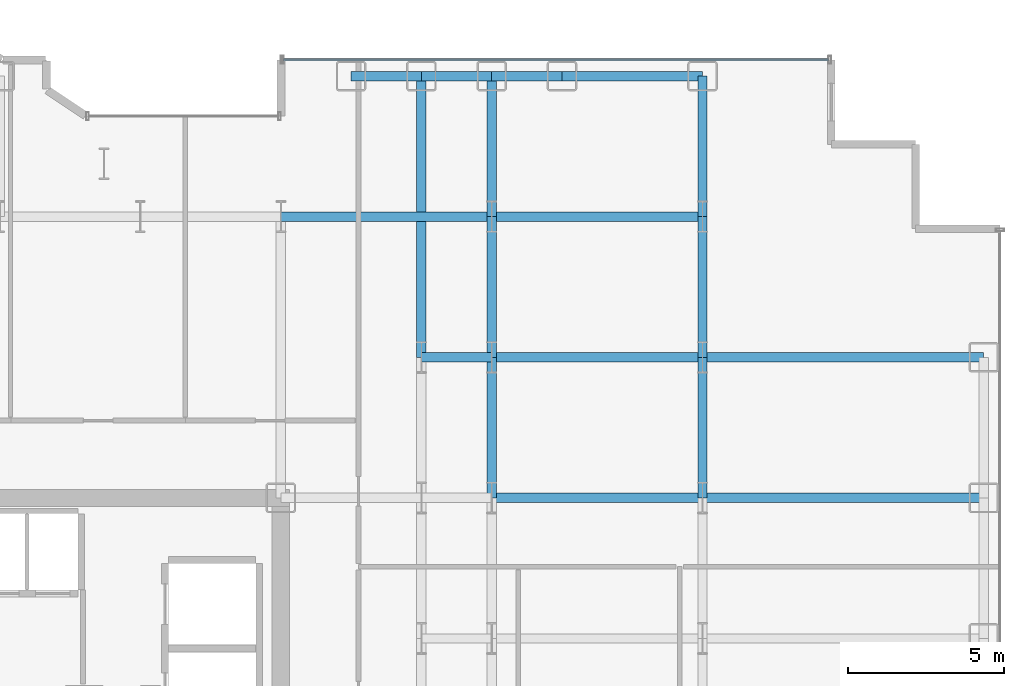
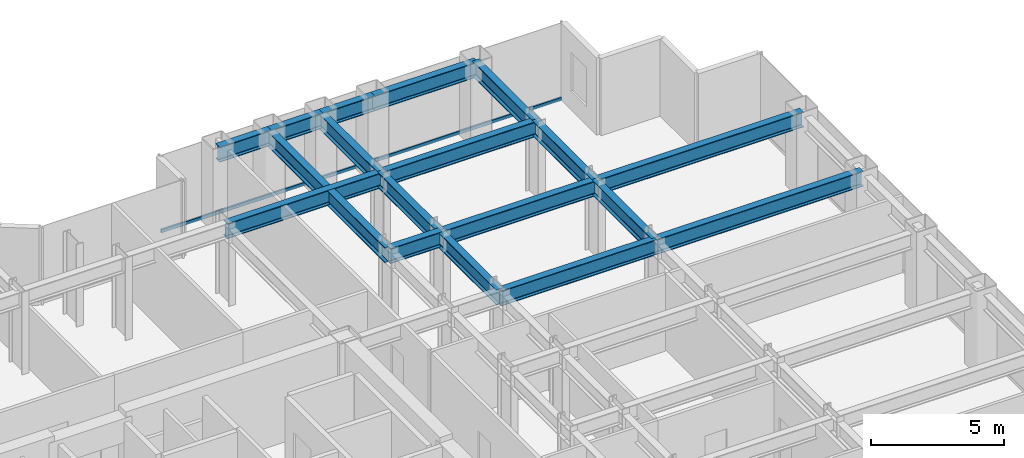
# One storey, part 13 of 25: 18 beams, 1 member, 1 element without a shape of its own.
"""IFC4 building model written with IfcOpenShell, lengths in metres."""

from ifc_helpers import new_model, si_unit, direction, frame, origin, origin_2d, place, context, subcontext, project, spatial, hollow_rectangle, i_section, extrude, source, transform, mapped, material, layer, layer_set, material_profile, profile_set, type_object, element, aggregate, save


model = new_model("IFC4")

# Units and contexts
model_context = context("Model", 3, precision=1e-05, world=origin(), true_north=direction((0.0, 1.0)))
body_context = subcontext(model_context, "Body", "Model", "MODEL_VIEW")
ifc_project = project(units=[si_unit("LENGTHUNIT", "METRE"), si_unit("AREAUNIT", "SQUARE_METRE"), si_unit("VOLUMEUNIT", "CUBIC_METRE"), si_unit("PLANEANGLEUNIT", "RADIAN"), si_unit("MASSUNIT", "GRAM", prefix="KILO")], contexts=[model_context])

# Site, building, storey
site_placement = place(None, origin())
site = spatial("IfcSite", under=ifc_project, at=site_placement, CompositionType="ELEMENT")
building_placement = place(site_placement, origin())
building = spatial("IfcBuilding", under=site, at=building_placement, Name="Nefas-Gora Pilgrimage Tower", CompositionType="ELEMENT")
storey_placement = place(building_placement, frame((0.0, 0.0, 98.39990234375)))
storey = spatial("IfcBuildingStorey", under=building, at=storey_placement, Name="L23", CompositionType="ELEMENT", Elevation=98.39990234375)

# Beams
ifc_material_1 = material(Name="Steel S355", Category="steel")
ifc_material_profile_1 = material_profile(ifc_material_1, i_section(OverallWidth=0.300048828125, OverallDepth=0.699951171875, WebThickness=0.01708984375, FlangeThickness=0.031982421875, FilletRadius=0.027099609375, at=origin_2d()), Name="HEB 700")
ifc_profile_set_1 = profile_set([ifc_material_profile_1], Name="Steel S355")
beam_type_1 = type_object("IfcBeamType", Name="BM-SPN-HEB600", PredefinedType="SPANDREL", material=ifc_profile_set_1)
shared_shape_1 = source(origin(), body_context, "Body", "SweptSolid", [
    extrude(i_section(OverallWidth=0.300048828125, OverallDepth=0.699951171875, WebThickness=0.01708984375, FlangeThickness=0.031982421875, FilletRadius=0.027099609375, at=origin_2d()), origin(), (0.0, 0.0, 1.0), 4.5),
])
beam_1_placement = place(storey_placement, frame((20.25, 22.5, 3.2001953125), z_axis=(1.0, 0.0, 0.0), x_axis=(0.0, 1.0, 0.0)))
element("IfcBeam", 1, at=beam_1_placement, inside=storey, type_object=beam_type_1, Name="L23 SP-01 beam", PredefinedType="SPANDREL", context=body_context, shape_type="MappedRepresentation", body=[
    mapped(shared_shape_1, transform((0.0, 0.0, 0.0), x_axis=(1.0, 0.0, 0.0), y_axis=(0.0, 1.0, 0.0), z_axis=(0.0, 0.0, 1.0), scale=1.0)),
])
ifc_material_profile_2 = material_profile(ifc_material_1, i_section(OverallWidth=0.300048828125, OverallDepth=0.699951171875, WebThickness=0.01708984375, FlangeThickness=0.031982421875, FilletRadius=0.027099609375, at=origin_2d()), Name="HEB 700")
ifc_profile_set_2 = profile_set([ifc_material_profile_2], Name="Steel S355")
beam_type_2 = type_object("IfcBeamType", Name="BM-GIR-HEB700", PredefinedType="BEAM", material=ifc_profile_set_2)
shared_shape_2 = source(origin(), body_context, "Body", "SweptSolid", [
    extrude(i_section(OverallWidth=0.300048828125, OverallDepth=0.699951171875, WebThickness=0.01708984375, FlangeThickness=0.031982421875, FilletRadius=0.027099609375, at=origin_2d()), origin(), (0.0, 0.0, 1.0), 9.0),
])
for number, where, z_axis, x_axis, name in (
    (2, (15.75, 13.5, 3.2001953125), (0.0, 1.0, 0.0), (-1.0, 0.0, 0.0), "L23 G-02 beam"),
    (3, (24.75, 9.0, 3.2001953125), (1.0, 0.0, 0.0), (0.0, 1.0, 0.0), "L23 G-02 beam"),
    (4, (24.75, 13.5, 3.2001953125), (1.0, 0.0, 0.0), (0.0, 1.0, 0.0), "L23 G-02 beam"),
):
    element("IfcBeam", number, at=place(storey_placement, frame(where, z_axis=z_axis, x_axis=x_axis)), inside=storey, type_object=beam_type_2, Name=name, PredefinedType="BEAM", context=body_context, shape_type="MappedRepresentation", body=[
        mapped(shared_shape_2, transform((0.0, 0.0, 0.0), x_axis=(1.0, 0.0, 0.0), y_axis=(0.0, 1.0, 0.0), z_axis=(0.0, 0.0, 1.0), scale=1.0)),
    ])
shared_shape_3 = source(origin(), body_context, "Body", "SweptSolid", [
    extrude(i_section(OverallWidth=0.300048828125, OverallDepth=0.699951171875, WebThickness=0.01708984375, FlangeThickness=0.031982421875, FilletRadius=0.027099609375, at=origin_2d()), origin(), (0.0, 0.0, 1.0), 4.5),
])
for number, where, z_axis, x_axis, name in (
    (5, (18.0, 9.0, 3.2001953125), (0.0, 1.0, 0.0), (-1.0, 0.0, 0.0), "L23 G-02 beam"),
    (6, (18.0, 13.5, 3.2001953125), (0.0, 1.0, 0.0), (-1.0, 0.0, 0.0), "L23 G-02 beam"),
    (7, (18.0, 18.0, 3.2001953125), (0.0, 1.0, 0.0), (-1.0, 0.0, 0.0), "L23 G-02 beam"),
    (8, (24.75, 9.0, 3.2001953125), (0.0, 1.0, 0.0), (-1.0, 0.0, 0.0), "L23 G-02 beam"),
    (9, (24.75, 13.5, 3.2001953125), (0.0, 1.0, 0.0), (-1.0, 0.0, 0.0), "L23 G-02 beam"),
    (10, (24.75, 18.0, 3.2001953125), (0.0, 1.0, 0.0), (-1.0, 0.0, 0.0), "L23 G-02 beam"),
):
    element("IfcBeam", number, at=place(storey_placement, frame(where, z_axis=z_axis, x_axis=x_axis)), inside=storey, type_object=beam_type_2, Name=name, PredefinedType="BEAM", context=body_context, shape_type="MappedRepresentation", body=[
        mapped(shared_shape_3, transform((0.0, 0.0, 0.0), x_axis=(1.0, 0.0, 0.0), y_axis=(0.0, 1.0, 0.0), z_axis=(0.0, 0.0, 1.0), scale=1.0)),
    ])
shared_shape_4 = source(origin(), body_context, "Body", "SweptSolid", [
    extrude(i_section(OverallWidth=0.300048828125, OverallDepth=0.699951171875, WebThickness=0.01708984375, FlangeThickness=0.031982421875, FilletRadius=0.027099609375, at=origin_2d()), origin(), (0.0, 0.0, 1.0), 6.75),
])
for number, where, z_axis, x_axis, name in (
    (11, (11.25, 18.0, 3.2001953125), (1.0, 0.0, 0.0), (0.0, 1.0, 0.0), "L23 G-02 beam"),
    (12, (18.0, 9.0, 3.2001953125), (1.0, 0.0, 0.0), (0.0, 1.0, 0.0), "L23 G-02 beam"),
    (13, (18.0, 13.5, 3.2001953125), (1.0, 0.0, 0.0), (0.0, 1.0, 0.0), "L23 G-02 beam"),
    (14, (18.0, 18.0, 3.2001953125), (1.0, 0.0, 0.0), (0.0, 1.0, 0.0), "L23 G-02 beam"),
):
    element("IfcBeam", number, at=place(storey_placement, frame(where, z_axis=z_axis, x_axis=x_axis)), inside=storey, type_object=beam_type_2, Name=name, PredefinedType="BEAM", context=body_context, shape_type="MappedRepresentation", body=[
        mapped(shared_shape_4, transform((0.0, 0.0, 0.0), x_axis=(1.0, 0.0, 0.0), y_axis=(0.0, 1.0, 0.0), z_axis=(0.0, 0.0, 1.0), scale=1.0)),
    ])
shared_shape_5 = source(origin(), body_context, "Body", "SweptSolid", [
    extrude(i_section(OverallWidth=0.300048828125, OverallDepth=0.699951171875, WebThickness=0.01708984375, FlangeThickness=0.031982421875, FilletRadius=0.027099609375, at=origin_2d()), origin(), (0.0, 0.0, 1.0), 2.25),
])
for number, where, z_axis, x_axis, name in (
    (15, (13.5, 22.5, 3.2001953125), (1.0, 0.0, 0.0), (0.0, 1.0, 0.0), "L23 SP-01 beam"),
    (16, (15.75, 22.5, 3.2001953125), (1.0, 0.0, 0.0), (0.0, 1.0, 0.0), "L23 SP-01 beam"),
    (17, (18.0, 22.5, 3.2001953125), (1.0, 0.0, 0.0), (0.0, 1.0, 0.0), "L23 SP-01 beam"),
):
    element("IfcBeam", number, at=place(storey_placement, frame(where, z_axis=z_axis, x_axis=x_axis)), inside=storey, type_object=beam_type_1, Name=name, PredefinedType="SPANDREL", context=body_context, shape_type="MappedRepresentation", body=[
        mapped(shared_shape_5, transform((0.0, 0.0, 0.0), x_axis=(1.0, 0.0, 0.0), y_axis=(0.0, 1.0, 0.0), z_axis=(0.0, 0.0, 1.0), scale=1.0)),
    ])
shared_shape_6 = source(origin(), body_context, "Body", "SweptSolid", [
    extrude(i_section(OverallWidth=0.300048828125, OverallDepth=0.699951171875, WebThickness=0.01708984375, FlangeThickness=0.031982421875, FilletRadius=0.027099609375, at=origin_2d()), origin(), (0.0, 0.0, 1.0), 2.25),
])
beam_2_placement = place(storey_placement, frame((15.75, 13.5, 3.2001953125), z_axis=(1.0, 0.0, 0.0), x_axis=(0.0, 1.0, 0.0)))
element("IfcBeam", 18, at=beam_2_placement, inside=storey, type_object=beam_type_2, Name="L23 G-02 beam", PredefinedType="BEAM", context=body_context, shape_type="MappedRepresentation", body=[
    mapped(shared_shape_6, transform((0.0, 0.0, 0.0), x_axis=(1.0, 0.0, 0.0), y_axis=(0.0, 1.0, 0.0), z_axis=(0.0, 0.0, 1.0), scale=1.0)),
])

# Curtain wall, member
ifc_material_2 = material(Name="Dark ceramic-fritted solar-control aluminium-glass curtain wall", Category="aluminium")
ifc_layer = layer(ifc_material_2, 0.219970703125)
ifc_layer_set = layer_set([ifc_layer], Name="Dark ceramic-fritted solar-control aluminium-glass curtain wall")
curtain_wall_type = type_object("IfcCurtainWallType", Name="CW-SYS-2", PredefinedType="NOTDEFINED", material=ifc_layer_set)
curtain_wall_placement = place(storey_placement, origin())
curtain_wall = element("IfcCurtainWall", 19, at=curtain_wall_placement, inside=storey, type_object=curtain_wall_type, Name="L23 Unitised Curtain Wall CW2", PredefinedType="NOTDEFINED")
ifc_material_3 = material(Name="Anodised architectural aluminium", Category="aluminium")
ifc_material_profile_3 = material_profile(ifc_material_3, hollow_rectangle(XDim=0.080078125, YDim=0.159912109375, WallThickness=0.00439453125, InnerFilletRadius=0.00439453125, OuterFilletRadius=0.009033203125, at=origin_2d()), Name="ALU TRANSOM 80x160")
ifc_profile_set_3 = profile_set([ifc_material_profile_3], Name="Anodised architectural aluminium")
member_type = type_object("IfcMemberType", Name="CWM-TRN-2", PredefinedType="USERDEFINED", material=ifc_profile_set_3)
shared_shape_7 = source(origin(), body_context, "Body", "SweptSolid", [
    extrude(hollow_rectangle(XDim=0.080078125, YDim=0.159912109375, WallThickness=0.00439453125, InnerFilletRadius=0.00439453125, OuterFilletRadius=0.009033203125, at=origin_2d()), origin(), (0.0, 0.0, 1.0), 17.43994140625),
])
member_placement = place(storey_placement, frame((28.780029296875, 23.02001953125, 0.050048828125), z_axis=(-1.0, 0.0, 0.0), x_axis=(0.0, -1.0, 0.0)))
member = element("IfcMember", 20, at=member_placement, type_object=member_type, Name="CW2 Spandrel Transom", ObjectType="TRANSOM", PredefinedType="USERDEFINED", context=body_context, shape_type="MappedRepresentation", body=[
    mapped(shared_shape_7, transform((0.0, 0.0, 0.0), x_axis=(1.0, 0.0, 0.0), y_axis=(0.0, 1.0, 0.0), z_axis=(0.0, 0.0, 1.0), scale=1.0)),
])
aggregate(curtain_wall, [member])

save(model, "model.ifc")
